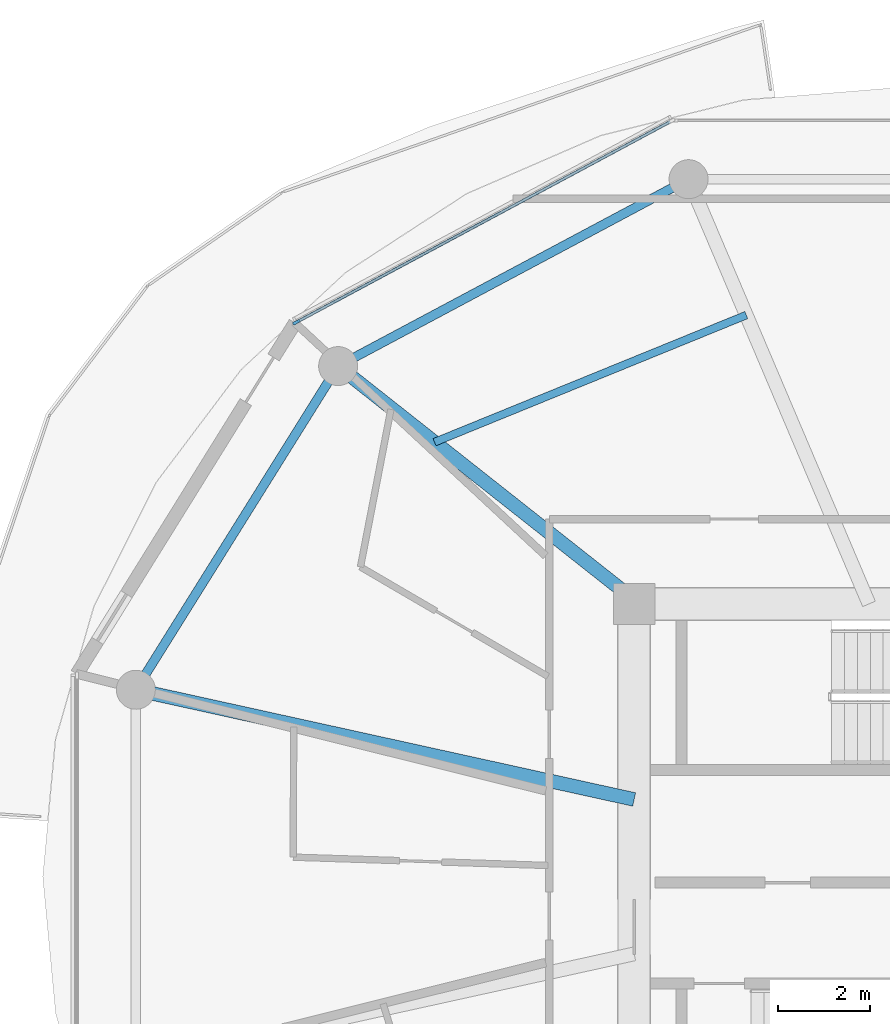
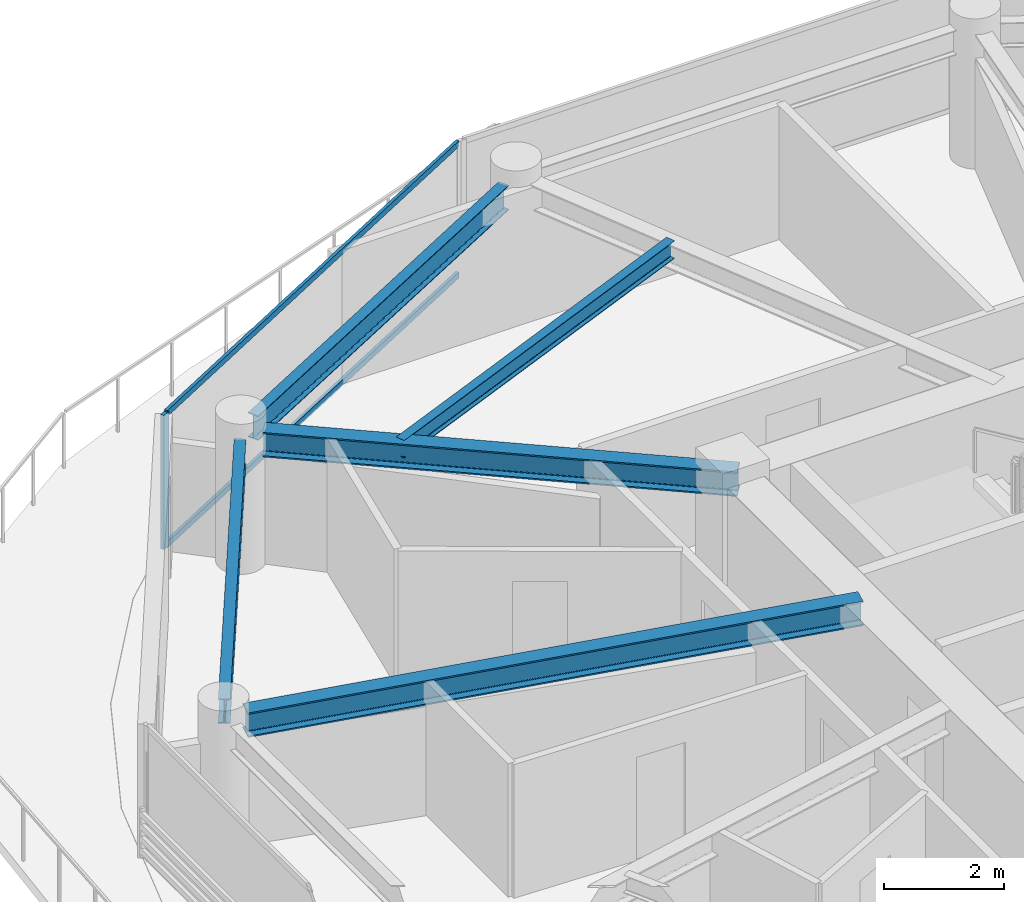
# One storey, part 8 of 22: 5 beams, 3 members, 1 element without a shape of its own.
"""IFC4 building model written with IfcOpenShell, lengths in metres."""

from ifc_helpers import new_model, si_unit, direction, frame, origin, origin_2d, place, context, subcontext, project, spatial, rectangle, i_section, extrude, source, transform, mapped, material, layer, layer_set, material_profile, profile_set, type_object, type_shapes, element, aggregate, save


model = new_model("IFC4")

# Units and contexts
model_context = context("Model", 3, precision=1e-05, world=origin(), true_north=direction((0.0, 1.0)))
body_context = subcontext(model_context, "Body", "Model", "MODEL_VIEW")
ifc_project = project(units=[si_unit("LENGTHUNIT", "METRE"), si_unit("AREAUNIT", "SQUARE_METRE"), si_unit("VOLUMEUNIT", "CUBIC_METRE"), si_unit("PLANEANGLEUNIT", "RADIAN"), si_unit("MASSUNIT", "GRAM", prefix="KILO")], contexts=[model_context])

# Site, building, storey
site_placement = place(None, origin())
site = spatial("IfcSite", under=ifc_project, at=site_placement, CompositionType="ELEMENT")
building_placement = place(site_placement, origin())
building = spatial("IfcBuilding", under=site, at=building_placement, Name="Norrkilde Senior Care Towers", CompositionType="ELEMENT")
storey_placement = place(building_placement, frame((0.0, 0.0, 126.75)))
storey = spatial("IfcBuildingStorey", under=building, at=storey_placement, Name="L39", CompositionType="ELEMENT", Elevation=126.75)

# Beams
ifc_material_1 = material(Name="Steel S355", Category="steel")
ifc_material_profile_1 = material_profile(ifc_material_1, i_section(OverallWidth=0.199951171875, OverallDepth=0.5, WebThickness=0.01025390625, FlangeThickness=0.01611328125, FilletRadius=0.02099609375, at=origin_2d()), Name="IPE 500")
ifc_profile_set_1 = profile_set([ifc_material_profile_1], Name="Steel S355")
beam_type_1 = type_object("IfcBeamType", Name="Perimeter Ring Spandrel Z2 IPE500", PredefinedType="SPANDREL", material=ifc_profile_set_1)
shared_shape_1 = source(origin(), body_context, "Body", "SweptSolid", [
    extrude(i_section(OverallWidth=0.199951171875, OverallDepth=0.5, WebThickness=0.01025390625, FlangeThickness=0.01611328125, FilletRadius=0.02099609375, at=origin_2d()), origin(), (0.0, 0.0, 1.0), 7.55615234375),
])
beam_1_placement = place(storey_placement, frame((13.689697265625, 10.810546875, 2.47998046875), z_axis=(-0.529981514254, -0.848009194849, 0.0), x_axis=(0.848009194849, -0.529981514254, 0.0)))
element("IfcBeam", 1, at=beam_1_placement, inside=storey, type_object=beam_type_1, Name="L39 Drum E Perimeter Spandrel 05", PredefinedType="SPANDREL", context=body_context, shape_type="MappedRepresentation", body=[
    mapped(shared_shape_1, transform((0.0, 0.0, 0.0), x_axis=(1.0, 0.0, 0.0), y_axis=(0.0, 1.0, 0.0), z_axis=(0.0, 0.0, 1.0), scale=1.0)),
])
ifc_material_profile_2 = material_profile(ifc_material_1, i_section(OverallWidth=0.300048828125, OverallDepth=0.5, WebThickness=0.014404296875, FlangeThickness=0.028076171875, FilletRadius=0.027099609375, at=origin_2d()), Name="HEB 500")
ifc_profile_set_2 = profile_set([ifc_material_profile_2], Name="Steel S355")
beam_type_2 = type_object("IfcBeamType", Name="Radial Floor Beam Z2 HEB500", PredefinedType="BEAM", material=ifc_profile_set_2)
shared_shape_2 = source(origin(), body_context, "Body", "SweptSolid", [
    extrude(i_section(OverallWidth=0.300048828125, OverallDepth=0.5, WebThickness=0.014404296875, FlangeThickness=0.028076171875, FilletRadius=0.027099609375, at=origin_2d()), origin(), (0.0, 0.0, 1.0), 10.744384765625),
])
beam_2_placement = place(storey_placement, frame((20.35009765625, 1.683837890625, 2.47998046875), z_axis=(-0.976618711422, 0.214978818724, 0.0), x_axis=(-0.214978818724, -0.976618711422, 0.0)))
element("IfcBeam", 2, at=beam_2_placement, inside=storey, type_object=beam_type_2, Name="L39 Drum E Radial Floor Beam 06", PredefinedType="BEAM", context=body_context, shape_type="MappedRepresentation", body=[
    mapped(shared_shape_2, transform((0.0, 0.0, 0.0), x_axis=(1.0, 0.0, 0.0), y_axis=(0.0, 1.0, 0.0), z_axis=(0.0, 0.0, 1.0), scale=1.0)),
])
shared_shape_3 = source(origin(), body_context, "Body", "SweptSolid", [
    extrude(i_section(OverallWidth=0.199951171875, OverallDepth=0.5, WebThickness=0.01025390625, FlangeThickness=0.01611328125, FilletRadius=0.02099609375, at=origin_2d()), origin(), (0.0, 0.0, 1.0), 7.892333984375),
])
type_shapes(beam_type_1, [shared_shape_1, shared_shape_3])
beam_3_placement = place(storey_placement, frame((21.197509765625, 15.0322265625, 2.47998046875), z_axis=(-0.882350372282, -0.47059305194, 0.0), x_axis=(0.47059305194, -0.882350372282, 0.0)))
element("IfcBeam", 3, at=beam_3_placement, inside=storey, type_object=beam_type_1, Name="L39 Drum E Perimeter Spandrel 04", PredefinedType="SPANDREL", context=body_context, shape_type="MappedRepresentation", body=[
    mapped(shared_shape_3, transform((0.0, 0.0, 0.0), x_axis=(1.0, 0.0, 0.0), y_axis=(0.0, 1.0, 0.0), z_axis=(0.0, 0.0, 1.0), scale=1.0)),
])
shared_shape_4 = source(origin(), body_context, "Body", "SweptSolid", [
    extrude(i_section(OverallWidth=0.300048828125, OverallDepth=0.5, WebThickness=0.014404296875, FlangeThickness=0.028076171875, FilletRadius=0.027099609375, at=origin_2d()), origin(), (0.0, 0.0, 1.0), 7.985595703125),
])
type_shapes(beam_type_2, [shared_shape_2, shared_shape_4])
beam_4_placement = place(storey_placement, frame((20.463623046875, 5.949951171875, 2.47998046875), z_axis=(-0.784858505144, 0.619675017169, 0.0), x_axis=(-0.619675017169, -0.784858505144, 0.0)))
element("IfcBeam", 4, at=beam_4_placement, inside=storey, type_object=beam_type_2, Name="L39 Drum E Radial Floor Beam 05", PredefinedType="BEAM", context=body_context, shape_type="MappedRepresentation", body=[
    mapped(shared_shape_4, transform((0.0, 0.0, 0.0), x_axis=(1.0, 0.0, 0.0), y_axis=(0.0, 1.0, 0.0), z_axis=(0.0, 0.0, 1.0), scale=1.0)),
])
ifc_material_profile_3 = material_profile(ifc_material_1, i_section(OverallWidth=0.169921875, OverallDepth=0.360107421875, WebThickness=0.008056640625, FlangeThickness=0.0126953125, FilletRadius=0.01806640625, at=origin_2d()), Name="IPE 360")
ifc_profile_set_3 = profile_set([ifc_material_profile_3], Name="Steel S355")
beam_type_3 = type_object("IfcBeamType", Name="Secondary Floor Joist IPE360", PredefinedType="JOIST", material=ifc_profile_set_3)
shared_shape_5 = source(origin(), body_context, "Body", "SweptSolid", [
    extrude(i_section(OverallWidth=0.169921875, OverallDepth=0.360107421875, WebThickness=0.008056640625, FlangeThickness=0.0126953125, FilletRadius=0.01806640625, at=origin_2d()), origin(), (0.0, 0.0, 1.0), 7.343505859375),
])
type_shapes(beam_type_3, [shared_shape_5])
beam_5_placement = place(storey_placement, frame((22.79638671875, 12.2490234375, 2.550048828125), z_axis=(-0.926021784767, -0.377470070519, 0.0), x_axis=(0.377470070519, -0.926021784767, 0.0)))
element("IfcBeam", 5, at=beam_5_placement, inside=storey, type_object=beam_type_3, Name="L39 Drum E Secondary Floor Joist 2", PredefinedType="JOIST", context=body_context, shape_type="MappedRepresentation", body=[
    mapped(shared_shape_5, transform((0.0, 0.0, 0.0), x_axis=(1.0, 0.0, 0.0), y_axis=(0.0, 1.0, 0.0), z_axis=(0.0, 0.0, 1.0), scale=1.0)),
])

# Curtain wall, members
ifc_material_2 = material(Name="Triple Low-E Insulated Glazing", Category="glass")
ifc_layer = layer(ifc_material_2, 0.195068359375)
ifc_layer_set = layer_set([ifc_layer], Name="Triple Low-E Insulated Glazing")
curtain_wall_type = type_object("IfcCurtainWallType", Name="CW3 Zone 2 Assisted Living Curtain Wall", PredefinedType="NOTDEFINED", material=ifc_layer_set)
curtain_wall_placement = place(storey_placement, origin())
curtain_wall = element("IfcCurtainWall", 6, at=curtain_wall_placement, inside=storey, type_object=curtain_wall_type, Name="L39 Drum E Curtain Wall 03", PredefinedType="NOTDEFINED")
ifc_material_3 = material(Name="Anodised Aluminium", Category="aluminium")
ifc_material_profile_4 = material_profile(ifc_material_3, rectangle(XDim=0.06494140625, YDim=0.159912109375, at=origin_2d()), Name="ALU MULL 65x160")
ifc_profile_set_4 = profile_set([ifc_material_profile_4], Name="Anodised Aluminium")
member_type_1 = type_object("IfcMemberType", Name="Curtain Wall Mullion Z1-Z2 65x160", PredefinedType="MULLION", material=ifc_profile_set_4)
shared_shape_6 = source(origin(), body_context, "Body", "SweptSolid", [
    extrude(rectangle(XDim=0.06494140625, YDim=0.159912109375, at=origin_2d()), origin(), (0.0, 0.0, 1.0), 2.72998046875),
])
type_shapes(member_type_1, [shared_shape_6])
member_1_placement = place(storey_placement, frame((12.98193359375, 12.0927734375, 0.0), z_axis=(0.0, 0.0, 1.0), x_axis=(-0.472769402511, 0.881186184668, 0.0)))
member_1 = element("IfcMember", 7, at=member_1_placement, type_object=member_type_1, Name="CW-3 mullion 1", PredefinedType="MULLION", context=body_context, shape_type="MappedRepresentation", body=[
    mapped(shared_shape_6, transform((0.0, 0.0, 0.0), x_axis=(1.0, 0.0, 0.0), y_axis=(0.0, 1.0, 0.0), z_axis=(0.0, 0.0, 1.0), scale=1.0)),
])
ifc_material_profile_5 = material_profile(ifc_material_3, rectangle(XDim=0.06005859375, YDim=0.1201171875, at=origin_2d()), Name="ALU TRAN 60x120")
ifc_profile_set_5 = profile_set([ifc_material_profile_5], Name="Anodised Aluminium")
member_type_2 = type_object("IfcMemberType", Name="Curtain Wall Transom Typical 60x120", PredefinedType="USERDEFINED", material=ifc_profile_set_5)
shared_shape_7 = source(origin(), body_context, "Body", "SweptSolid", [
    extrude(rectangle(XDim=0.06005859375, YDim=0.1201171875, at=origin_2d()), origin(), (0.0, 0.0, 1.0), 9.220458984375),
])
type_shapes(member_type_2, [shared_shape_7])
member_2_placement = place(storey_placement, frame((13.0107421875, 12.108154296875, 0.030029296875), z_axis=(0.881188517866, 0.472765053681, 0.0), x_axis=(-0.472765053681, 0.881188517866, 0.0)))
member_2 = element("IfcMember", 8, at=member_2_placement, type_object=member_type_2, Name="CW-3 transom 1.1", ObjectType="TRANSOM", PredefinedType="USERDEFINED", context=body_context, shape_type="MappedRepresentation", body=[
    mapped(shared_shape_7, transform((0.0, 0.0, 0.0), x_axis=(1.0, 0.0, 0.0), y_axis=(0.0, 1.0, 0.0), z_axis=(0.0, 0.0, 1.0), scale=1.0)),
])
member_3_placement = place(storey_placement, frame((13.0107421875, 12.108154296875, 2.699951171875), z_axis=(0.881188517866, 0.472765053681, 0.0), x_axis=(-0.472765053681, 0.881188517866, 0.0)))
member_3 = element("IfcMember", 9, at=member_3_placement, type_object=member_type_2, Name="CW-3 transom 1.2", ObjectType="TRANSOM", PredefinedType="USERDEFINED", context=body_context, shape_type="MappedRepresentation", body=[
    mapped(shared_shape_7, transform((0.0, 0.0, 0.0), x_axis=(1.0, 0.0, 0.0), y_axis=(0.0, 1.0, 0.0), z_axis=(0.0, 0.0, 1.0), scale=1.0)),
])
aggregate(curtain_wall, [member_1, member_2, member_3])

save(model, "model.ifc")
